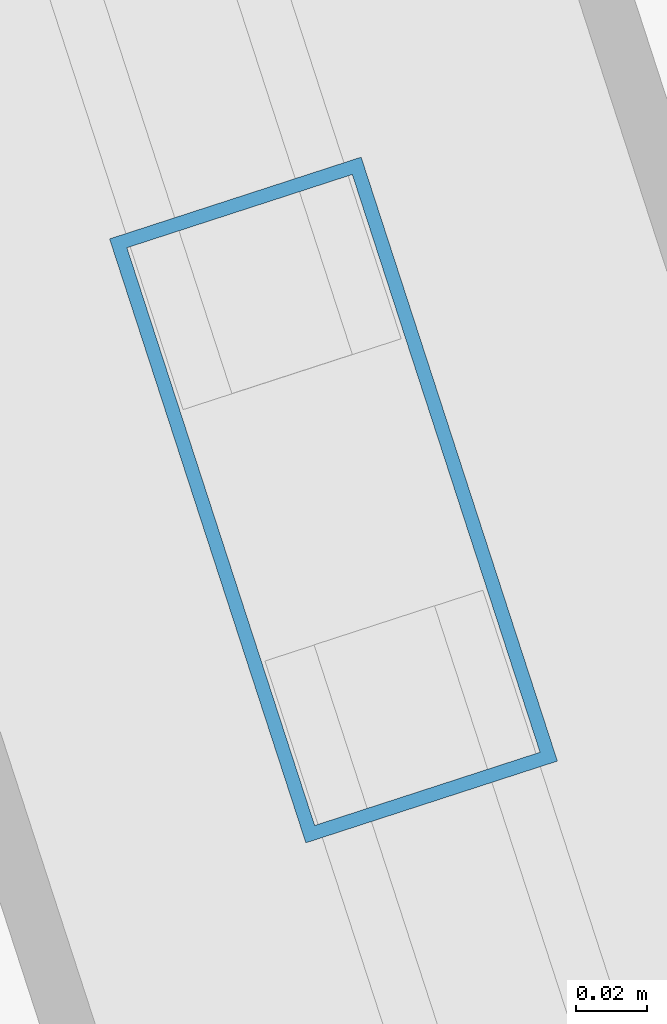
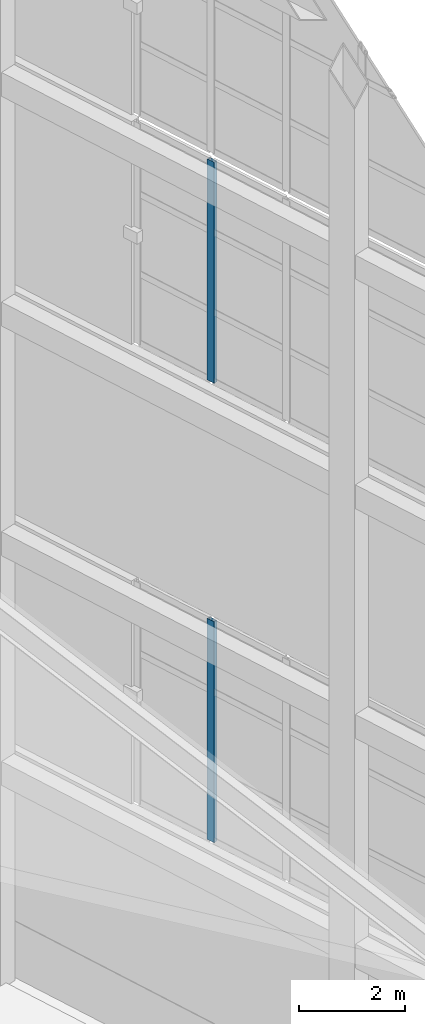
# One storey, part 39 of 56: 2 members, 2 elements without a shape of their own.
"""IFC4 building model written with IfcOpenShell, lengths in metres."""

from ifc_helpers import new_model, si_unit, direction, frame, origin, origin_2d, place, context, subcontext, project, spatial, hollow_rectangle, extrude, material, layer, layer_set, material_profile, profile_set, type_object, element, aggregate, save


model = new_model("IFC4")

# Units and contexts
model_context = context("Model", 3, precision=1e-05, world=origin(), true_north=direction((0.0, 1.0)))
body_context = subcontext(model_context, "Body", "Model", "MODEL_VIEW")
ifc_project = project(units=[si_unit("LENGTHUNIT", "METRE"), si_unit("AREAUNIT", "SQUARE_METRE"), si_unit("VOLUMEUNIT", "CUBIC_METRE"), si_unit("PLANEANGLEUNIT", "RADIAN"), si_unit("MASSUNIT", "GRAM", prefix="KILO")], contexts=[model_context])

# Site, building, storey
site_placement = place(None, origin())
site = spatial("IfcSite", under=ifc_project, at=site_placement, CompositionType="ELEMENT")
building_placement = place(site_placement, origin())
building = spatial("IfcBuilding", under=site, at=building_placement, Name="Qiaolan Cultural Towers", CompositionType="ELEMENT")
storey_placement = place(building_placement, frame((0.0, 0.0, 250.39990234375)))
storey = spatial("IfcBuildingStorey", under=building, at=storey_placement, Name="L68", CompositionType="ELEMENT", Elevation=250.39990234375)

# Curtain wall, member
ifc_material_1 = material(Name="Unitized Anodized Aluminium Curtain Wall System", Category="aluminium")
ifc_layer = layer(ifc_material_1, 0.199951171875)
ifc_layer_set = layer_set([ifc_layer], Name="Unitized Anodized Aluminium Curtain Wall System")
curtain_wall_type = type_object("IfcCurtainWallType", Name="CWS-06", PredefinedType="NOTDEFINED", material=ifc_layer_set)
curtain_wall_1_placement = place(storey_placement, origin())
curtain_wall_1 = element("IfcCurtainWall", 1, at=curtain_wall_1_placement, inside=storey, type_object=curtain_wall_type, Name="T2 Crown Tier 2 Fritted Screen Curtain Wall 3", PredefinedType="NOTDEFINED")
ifc_material_2 = material(Name="Extruded Aluminium 6063-T6", Category="aluminium")
ifc_material_profile = material_profile(ifc_material_2, hollow_rectangle(XDim=0.074951171875, YDim=0.179931640625, WallThickness=0.00390625, at=origin_2d()), Name="CWM-180x75x4")
ifc_profile_set = profile_set([ifc_material_profile], Name="Extruded Aluminium 6063-T6")
member_type = type_object("IfcMemberType", Name="CWS-06-MUL", PredefinedType="MULLION", material=ifc_profile_set)
member_1_placement = place(storey_placement, frame((101.985595703125, 41.931884765625, 5.400146484375), z_axis=(0.0, 0.0, 1.0), x_axis=(-0.951056535512, -0.309016935232, 0.0)))
member_1 = element("IfcMember", 2, at=member_1_placement, type_object=member_type, Name="CW-6 mullion 6", PredefinedType="MULLION", context=body_context, shape_type="SweptSolid", body=[
    extrude(hollow_rectangle(XDim=0.074951171875, YDim=0.179931640625, WallThickness=0.00390625, at=origin_2d()), origin(), (0.0, 0.0, 1.0), 5.099853515625),
])
aggregate(curtain_wall_1, [member_1])

curtain_wall_2_placement = place(storey_placement, origin())
curtain_wall_2 = element("IfcCurtainWall", 3, at=curtain_wall_2_placement, inside=storey, type_object=curtain_wall_type, Name="T2 Crown Tier 4 Fritted Screen Curtain Wall 3", PredefinedType="NOTDEFINED")
member_2_placement = place(storey_placement, frame((101.985595703125, 41.931884765625, 16.0), z_axis=(0.0, 0.0, 1.0), x_axis=(-0.951056535512, -0.309016935232, 0.0)))
member_2 = element("IfcMember", 4, at=member_2_placement, type_object=member_type, Name="CW-6 mullion 6", PredefinedType="MULLION", context=body_context, shape_type="SweptSolid", body=[
    extrude(hollow_rectangle(XDim=0.074951171875, YDim=0.179931640625, WallThickness=0.00390625, at=origin_2d()), origin(), (0.0, 0.0, 1.0), 5.10009765625),
])
aggregate(curtain_wall_2, [member_2])

save(model, "model.ifc")
